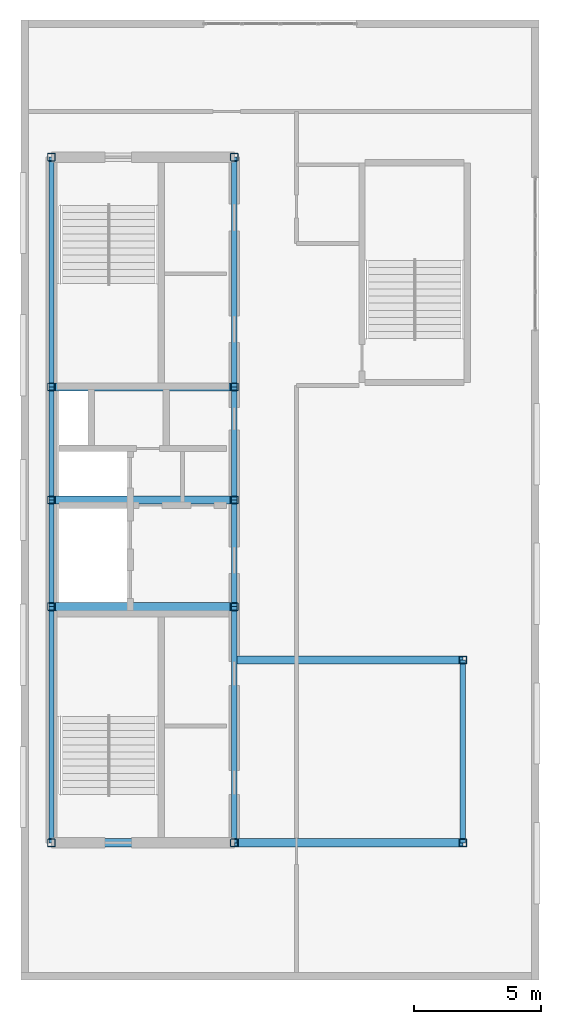
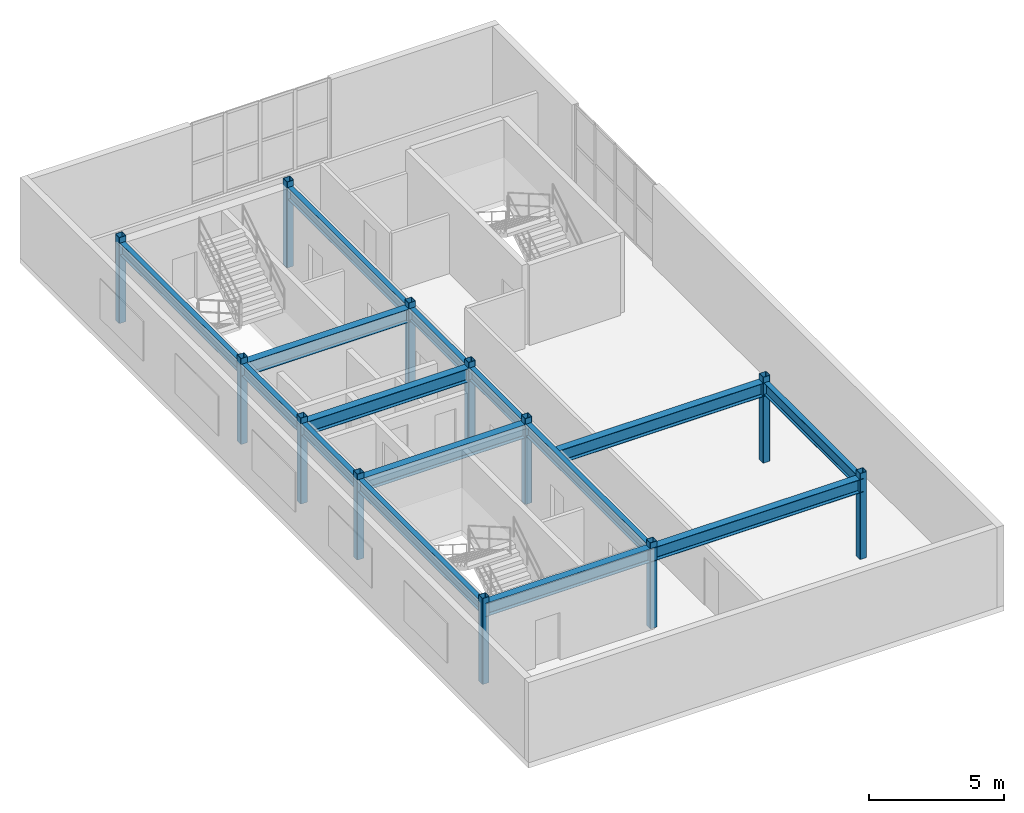
# One storey, part 1 of 6: 15 beams, 12 columns.
"""IFC4 building model written with IfcOpenShell, lengths in metres."""

import ifcopenshell
import ifcopenshell.guid

model = None  # the IFC model being written
_history = None  # IfcOwnerHistory: only IFC2X3 demands one
_inside = {}  # id of a spatial element -> (the spatial element, [elements in it])
_under = {}  # id of a project, library or spatial element -> (it, [spatial elements below it])
_declared = {}  # id of a project -> (the project, [libraries it declares])
_typed = {}  # id of a type object -> (the type object, [elements of that type])
_made_of = {}  # id of a material, layer set ... -> (it, [elements and type objects made of it])


def new_model(schema):
    """Start an empty IFC model of exactly this schema.

    Asked for "IFC4X3", IfcOpenShell would pick the latest addendum, in which some entities
    have other attributes; the version numbers below select the first issue.
    IFC2X3 requires an IfcOwnerHistory on every rooted entity: one is made here for all.
    """
    global model, _history
    if schema == "IFC4X3":
        model = ifcopenshell.file(schema_version=(4, 3, 0, 0))
    else:
        model = ifcopenshell.file(schema=schema)
    _inside.clear()
    _under.clear()
    _declared.clear()
    _typed.clear()
    _made_of.clear()
    _history = None
    if model.schema == "IFC2X3":
        org = make("IfcOrganization", Name="unknown")
        user = make(
            "IfcPersonAndOrganization",
            ThePerson=make("IfcPerson", FamilyName="unknown"),
            TheOrganization=org,
        )
        app = make(
            "IfcApplication",
            ApplicationDeveloper=org,
            Version="unknown",
            ApplicationFullName="unknown",
            ApplicationIdentifier="unknown",
        )
        _history = make(
            "IfcOwnerHistory",
            OwningUser=user,
            OwningApplication=app,
            ChangeAction="ADDED",
            CreationDate=0,
        )
    return model


def make(cls, **values):
    """One entity of the class cls with the attributes given. An attribute that is None is left unset."""
    return model.create_entity(
        cls, **{name: value for name, value in values.items() if value is not None}
    )


def entity(cls, *values):
    """Any entity or typed value of the class cls, its attributes in the order of the schema. None: left unset."""
    e = model.create_entity(cls)
    for i, value in enumerate(values):
        if value is not None:
            e[i] = value
    return e


def rooted(cls, **values):
    """An entity with a GlobalId (a new one), such as an element, a storey or a relation."""
    return make(cls, GlobalId=ifcopenshell.guid.new(), OwnerHistory=_history, **values)


def si_unit(unit_type, name, prefix=None):
    """IfcSIUnit, for example si_unit("LENGTHUNIT", "METRE", prefix="MILLI")."""
    return make("IfcSIUnit", UnitType=unit_type, Prefix=prefix, Name=name)


def converted_unit(unit_type, name, factor, base, dimensions=None, offset=None):
    """IfcConversionBasedUnit, such as the inch: factor (a typed value) times the base unit."""
    return make(
        "IfcConversionBasedUnit"
        if offset is None
        else "IfcConversionBasedUnitWithOffset",
        ConversionOffset=offset,
        Dimensions=None
        if dimensions is None
        else entity("IfcDimensionalExponents", *dimensions),
        UnitType=unit_type,
        Name=name,
        ConversionFactor=make(
            "IfcMeasureWithUnit", ValueComponent=factor, UnitComponent=base
        ),
    )


def assignment(units):
    """IfcUnitAssignment: the units of a project."""
    return None if units is None else make("IfcUnitAssignment", Units=units)


def point(xyz):
    """IfcCartesianPoint."""
    return None if xyz is None else make("IfcCartesianPoint", Coordinates=xyz)


def direction(xyz):
    """IfcDirection."""
    return None if xyz is None else make("IfcDirection", DirectionRatios=xyz)


def frame(location, z_axis=None, x_axis=None):
    """IfcAxis2Placement3D, a coordinate frame: its origin and axes. An axis left out is left unset."""
    return make(
        "IfcAxis2Placement3D",
        Location=point(location),
        Axis=direction(z_axis),
        RefDirection=direction(x_axis),
    )


def frame_2d(location, x_axis=None):
    """IfcAxis2Placement2D, a coordinate frame in the plane: its origin and x axis."""
    return make(
        "IfcAxis2Placement2D", Location=point(location), RefDirection=direction(x_axis)
    )


def origin_with_axes():
    """The frame at (0, 0, 0) with the z axis (0, 0, 1) and the x axis (1, 0, 0) written out."""
    return frame((0.0, 0.0, 0.0), z_axis=(0.0, 0.0, 1.0), x_axis=(1.0, 0.0, 0.0))


def origin_2d_with_axis():
    """The frame at (0, 0) in the plane with the x axis (1, 0) written out."""
    return frame_2d((0.0, 0.0), x_axis=(1.0, 0.0))


def place(relative_to, where):
    """IfcLocalPlacement: puts the frame where relative to a parent placement (None: the world)."""
    return make(
        "IfcLocalPlacement", PlacementRelTo=relative_to, RelativePlacement=where
    )


def context(
    kind, dimensions, precision=None, world=None, true_north=None, identifier=None
):
    """IfcGeometricRepresentationContext, for example the 3D "Model" context."""
    return make(
        "IfcGeometricRepresentationContext",
        ContextIdentifier=identifier,
        ContextType=kind,
        CoordinateSpaceDimension=dimensions,
        Precision=precision,
        WorldCoordinateSystem=world,
        TrueNorth=true_north,
    )


def subcontext(parent, identifier, kind, view, scale=None):
    """IfcGeometricRepresentationSubContext, for example "Body" below "Model"."""
    return make(
        "IfcGeometricRepresentationSubContext",
        ContextIdentifier=identifier,
        ContextType=kind,
        ParentContext=parent,
        TargetScale=scale,
        TargetView=view,
    )


def project(units=None, contexts=None):
    """IfcProject with its units and contexts."""
    return rooted(
        "IfcProject",
        Name="project",
        RepresentationContexts=contexts,
        UnitsInContext=assignment(units),
    )


def spatial(cls, under=None, at=None, **own):
    """A site, building, storey or space (cls), placed at a placement, below another one or the project."""
    s = rooted(cls, ObjectPlacement=at, **own)
    if under is not None:
        _under.setdefault(under.id(), (under, []))[1].append(s)
    return s


def profile(cls, at=None, kind="AREA", **sizes):
    """A parametric profile (cls). Its sizes go by their IFC names, for example OverallWidth=200.0."""
    return make(cls, ProfileType=kind, Position=at, **sizes)


def hollow_rectangle(**sizes):
    """IfcRectangleHollowProfileDef."""
    return profile("IfcRectangleHollowProfileDef", **sizes)


def i_section(**sizes):
    """IfcIShapeProfileDef."""
    return profile("IfcIShapeProfileDef", **sizes)


def extrude(swept, where, along, depth):
    """IfcExtrudedAreaSolid: the profile swept, set in the frame where, extruded along a direction by depth."""
    return make(
        "IfcExtrudedAreaSolid",
        SweptArea=swept,
        Position=where,
        ExtrudedDirection=direction(along),
        Depth=depth,
    )


def shape(context_of_items, identifier, shape_type, items):
    """IfcShapeRepresentation: the items that make up one representation, for example the "Body"."""
    return make(
        "IfcShapeRepresentation",
        ContextOfItems=context_of_items,
        RepresentationIdentifier=identifier,
        RepresentationType=shape_type,
        Items=items,
    )


def material(Name=None, Category=None):
    """IfcMaterial."""
    return make("IfcMaterial", Name=Name, Category=Category)


def material_profile(
    of_material, cross_section, Name=None, Category=None, Priority=None
):
    """IfcMaterialProfile: a cross section and its material."""
    return make(
        "IfcMaterialProfile",
        Name=Name,
        Material=of_material,
        Profile=cross_section,
        Priority=Priority,
        Category=Category,
    )


def profile_set(profiles, Name=None, composite=None):
    """IfcMaterialProfileSet."""
    return make(
        "IfcMaterialProfileSet",
        Name=Name,
        MaterialProfiles=profiles,
        CompositeProfile=composite,
    )


def made_of(thing, what):
    """Note that an element or type object is made of a material, layer set ...; save() writes the relation."""
    if what is not None:
        _made_of.setdefault(what.id(), (what, []))[1].append(thing)
    return thing


def type_object(cls, material=None, **own):
    """A type object (cls), such as IfcWallType, which elements share."""
    return made_of(rooted(cls, **own), material)


def element(
    cls,
    number,
    at=None,
    inside=None,
    cuts=None,
    type_object=None,
    material=None,
    context=None,
    identifier="Body",
    shape_type=None,
    held_by="IfcProductDefinitionShape",
    body=None,
    shapes=None,
    **own,
):
    """One element of the class cls, such as IfcWall. Its Tag is "e" and its number.

    at: its placement. inside: the storey or other place that contains it. cuts: it is an
    opening in that element (IfcRelVoidsElement). A single representation is given by context,
    identifier, shape_type and body (its items); several are given by shapes. held_by: the class
    of the entity that holds the representations. save() writes the other relations.
    """
    e = rooted(cls, Tag="e%d" % number, ObjectPlacement=at, **own)
    if body is not None:
        shapes = [shape(context, identifier, shape_type, body)]
    if shapes is not None:
        e.Representation = make(held_by, Representations=shapes)
    if inside is not None:
        _inside.setdefault(inside.id(), (inside, []))[1].append(e)
    if cuts is not None:
        rooted(
            "IfcRelVoidsElement", RelatingBuildingElement=cuts, RelatedOpeningElement=e
        )
    if type_object is not None:
        _typed.setdefault(type_object.id(), (type_object, []))[1].append(e)
    return made_of(e, material)


def aggregate(whole, parts):
    """IfcRelAggregates: a whole, such as a stair, and the parts it consists of."""
    return rooted("IfcRelAggregates", RelatingObject=whole, RelatedObjects=parts)


def save(model, path):
    """Write the relations noted so far, then the file.

    IfcRelAggregates (storeys below a building ...), IfcRelContainedInSpatialStructure (elements
    in a storey), IfcRelDefinesByType, IfcRelAssociatesMaterial and IfcRelDeclares: one each for
    every whole, place, type object, material and project.
    """
    for whole, parts in _under.values():
        aggregate(whole, parts)
    for where, things in _inside.values():
        rooted(
            "IfcRelContainedInSpatialStructure",
            RelatedElements=things,
            RelatingStructure=where,
        )
    for kind, things in _typed.values():
        rooted("IfcRelDefinesByType", RelatedObjects=things, RelatingType=kind)
    for what, things in _made_of.values():
        rooted("IfcRelAssociatesMaterial", RelatedObjects=things, RelatingMaterial=what)
    for by, libraries in _declared.values():
        rooted("IfcRelDeclares", RelatingContext=by, RelatedDefinitions=libraries)
    model.write(path)


model = new_model("IFC4")

# Units and contexts
model_context = context("Model", 3, precision=1e-05, world=origin_with_axes(), true_north=direction((0.0, 1.0)))
body_context = subcontext(model_context, "Body", "Model", "MODEL_VIEW")
ifc_project = project(units=[si_unit("LENGTHUNIT", "METRE"), si_unit("AREAUNIT", "SQUARE_METRE"), si_unit("VOLUMEUNIT", "CUBIC_METRE"), converted_unit("PLANEANGLEUNIT", "DEGREE", entity("IfcPlaneAngleMeasure", 0.017453292519943295), si_unit("PLANEANGLEUNIT", "RADIAN"), dimensions=[0, 0, 0, 0, 0, 0, 0]), si_unit("MASSUNIT", "GRAM", prefix="KILO"), si_unit("THERMODYNAMICTEMPERATUREUNIT", "KELVIN")], contexts=[model_context])

# Site, building, storey
site_placement = place(None, origin_with_axes())
site = spatial("IfcSite", under=ifc_project, at=site_placement, CompositionType="ELEMENT")
building_placement = place(site_placement, origin_with_axes())
building = spatial("IfcBuilding", under=site, at=building_placement, Name="Varnlund Millrace Tower", CompositionType="ELEMENT")
storey_placement = place(building_placement, frame((0.0, 0.0, 324.3), z_axis=(0.0, 0.0, 1.0), x_axis=(1.0, 0.0, 0.0)))
storey = spatial("IfcBuildingStorey", under=building, at=storey_placement, Name="L80", CompositionType="ELEMENT", Elevation=324.3)

# Columns
ifc_material_1 = material(Name="Steel ASTM A500 Grade C", Category="steel")
ifc_material_profile_1 = material_profile(ifc_material_1, hollow_rectangle(XDim=0.305, YDim=0.305, WallThickness=0.0147, InnerFilletRadius=0.015, OuterFilletRadius=0.03, at=origin_2d_with_axis()), Name="Steel ASTM A500 Grade C")
ifc_profile_set_1 = profile_set([ifc_material_profile_1], Name="Steel ASTM A500 Grade C")
column_type = type_object("IfcColumnType", Name="Type-Col-Crn-HSS12", PredefinedType="COLUMN", material=ifc_profile_set_1)
for number, where, z_axis, x_axis, name in (
    (1, (11.4, 10.8, 0.0), (0.0, 0.0, 1.0), (1.0, 0.0, 0.0), "Type-Col-Crn-HSS12"),
    (2, (11.4, 20.1, 0.0), (0.0, 0.0, 1.0), (1.0, 0.0, 0.0), "Type-Col-Crn-HSS12"),
    (3, (11.4, 24.3, 0.0), (0.0, 0.0, 1.0), (1.0, 0.0, 0.0), "Type-Col-Crn-HSS12"),
    (4, (11.4, 28.75, 0.0), (0.0, 0.0, 1.0), (1.0, 0.0, 0.0), "Type-Col-Crn-HSS12"),
    (5, (11.4, 37.8, 0.0), (0.0, 0.0, 1.0), (1.0, 0.0, 0.0), "Type-Col-Crn-HSS12"),
    (6, (18.6, 10.8, 0.0), (0.0, 0.0, 1.0), (1.0, 0.0, 0.0), "Type-Col-Crn-HSS12"),
    (7, (18.6, 20.1, 0.0), (0.0, 0.0, 1.0), (1.0, 0.0, 0.0), "Type-Col-Crn-HSS12"),
    (8, (18.6, 24.3, 0.0), (0.0, 0.0, 1.0), (1.0, 0.0, 0.0), "Type-Col-Crn-HSS12"),
    (9, (18.6, 28.75, 0.0), (0.0, 0.0, 1.0), (1.0, 0.0, 0.0), "Type-Col-Crn-HSS12"),
    (10, (18.6, 37.8, 0.0), (0.0, 0.0, 1.0), (1.0, 0.0, 0.0), "Type-Col-Crn-HSS12"),
    (11, (27.6, 10.8, 0.0), (0.0, 0.0, 1.0), (1.0, 0.0, 0.0), "Type-Col-Crn-HSS12"),
    (12, (27.6, 18.0, 0.0), (0.0, 0.0, 1.0), (1.0, 0.0, 0.0), "Type-Col-Crn-HSS12"),
):
    element("IfcColumn", number, at=place(storey_placement, frame(where, z_axis=z_axis, x_axis=x_axis)), inside=storey, type_object=column_type, Name=name, PredefinedType="COLUMN", context=body_context, shape_type="SweptSolid", body=[
        extrude(hollow_rectangle(XDim=0.305, YDim=0.305, WallThickness=0.0147, InnerFilletRadius=0.015, OuterFilletRadius=0.03, at=origin_2d_with_axis()), origin_with_axes(), (0.0, 0.0, 1.0), 3.9),
    ])

# Beams
ifc_material_2 = material(Name="Steel ASTM A992 Grade 50", Category="steel")
ifc_material_profile_2 = material_profile(ifc_material_2, i_section(OverallWidth=0.214, OverallDepth=0.549, WebThickness=0.0147, FlangeThickness=0.0236, FilletRadius=0.015, at=origin_2d_with_axis()), Name="Steel ASTM A992 Grade 50")
ifc_profile_set_2 = profile_set([ifc_material_profile_2], Name="Steel ASTM A992 Grade 50")
beam_type_1 = type_object("IfcBeamType", Name="Type-Beam-W21X93", PredefinedType="BEAM", material=ifc_profile_set_2)
beam_1_placement = place(storey_placement, frame((11.4, 10.8, 3.3655), z_axis=(0.0, 1.0, 0.0), x_axis=(-1.0, 0.0, 0.0)))
element("IfcBeam", 13, at=beam_1_placement, inside=storey, type_object=beam_type_1, Name="Type-Beam-W21X93", PredefinedType="BEAM", context=body_context, shape_type="SweptSolid", body=[
    extrude(i_section(OverallWidth=0.214, OverallDepth=0.549, WebThickness=0.0147, FlangeThickness=0.0236, FilletRadius=0.015, at=origin_2d_with_axis()), origin_with_axes(), (0.0, 0.0, 1.0), 9.3),
])
beam_2_placement = place(storey_placement, frame((11.4, 20.1, 3.3655), z_axis=(0.0, 1.0, 0.0), x_axis=(-1.0, 0.0, 0.0)))
element("IfcBeam", 14, at=beam_2_placement, inside=storey, type_object=beam_type_1, Name="Type-Beam-W21X93", PredefinedType="BEAM", context=body_context, shape_type="SweptSolid", body=[
    extrude(i_section(OverallWidth=0.214, OverallDepth=0.549, WebThickness=0.0147, FlangeThickness=0.0236, FilletRadius=0.015, at=origin_2d_with_axis()), origin_with_axes(), (0.0, 0.0, 1.0), 4.2),
])
beam_3_placement = place(storey_placement, frame((11.4, 24.3, 3.3655), z_axis=(0.0, 1.0, 0.0), x_axis=(-1.0, 0.0, 0.0)))
element("IfcBeam", 15, at=beam_3_placement, inside=storey, type_object=beam_type_1, Name="Type-Beam-W21X93", PredefinedType="BEAM", context=body_context, shape_type="SweptSolid", body=[
    extrude(i_section(OverallWidth=0.214, OverallDepth=0.549, WebThickness=0.0147, FlangeThickness=0.0236, FilletRadius=0.015, at=origin_2d_with_axis()), origin_with_axes(), (0.0, 0.0, 1.0), 4.45),
])
beam_4_placement = place(storey_placement, frame((11.4, 28.75, 3.3655), z_axis=(0.0, 1.0, 0.0), x_axis=(-1.0, 0.0, 0.0)))
element("IfcBeam", 16, at=beam_4_placement, inside=storey, type_object=beam_type_1, Name="Type-Beam-W21X93", PredefinedType="BEAM", context=body_context, shape_type="SweptSolid", body=[
    extrude(i_section(OverallWidth=0.214, OverallDepth=0.549, WebThickness=0.0147, FlangeThickness=0.0236, FilletRadius=0.015, at=origin_2d_with_axis()), origin_with_axes(), (0.0, 0.0, 1.0), 9.05),
])
beam_5_placement = place(storey_placement, frame((18.6, 10.8, 3.3655), z_axis=(0.0, 1.0, 0.0), x_axis=(-1.0, 0.0, 0.0)))
element("IfcBeam", 17, at=beam_5_placement, inside=storey, type_object=beam_type_1, Name="Type-Beam-W21X93", PredefinedType="BEAM", context=body_context, shape_type="SweptSolid", body=[
    extrude(i_section(OverallWidth=0.214, OverallDepth=0.549, WebThickness=0.0147, FlangeThickness=0.0236, FilletRadius=0.015, at=origin_2d_with_axis()), origin_with_axes(), (0.0, 0.0, 1.0), 9.3),
])
beam_6_placement = place(storey_placement, frame((18.6, 20.1, 3.3655), z_axis=(0.0, 1.0, 0.0), x_axis=(-1.0, 0.0, 0.0)))
element("IfcBeam", 18, at=beam_6_placement, inside=storey, type_object=beam_type_1, Name="Type-Beam-W21X93", PredefinedType="BEAM", context=body_context, shape_type="SweptSolid", body=[
    extrude(i_section(OverallWidth=0.214, OverallDepth=0.549, WebThickness=0.0147, FlangeThickness=0.0236, FilletRadius=0.015, at=origin_2d_with_axis()), origin_with_axes(), (0.0, 0.0, 1.0), 4.2),
])
beam_7_placement = place(storey_placement, frame((18.6, 24.3, 3.3655), z_axis=(0.0, 1.0, 0.0), x_axis=(-1.0, 0.0, 0.0)))
element("IfcBeam", 19, at=beam_7_placement, inside=storey, type_object=beam_type_1, Name="Type-Beam-W21X93", PredefinedType="BEAM", context=body_context, shape_type="SweptSolid", body=[
    extrude(i_section(OverallWidth=0.214, OverallDepth=0.549, WebThickness=0.0147, FlangeThickness=0.0236, FilletRadius=0.015, at=origin_2d_with_axis()), origin_with_axes(), (0.0, 0.0, 1.0), 4.45),
])
beam_8_placement = place(storey_placement, frame((18.6, 28.75, 3.3655), z_axis=(0.0, 1.0, 0.0), x_axis=(-1.0, 0.0, 0.0)))
element("IfcBeam", 20, at=beam_8_placement, inside=storey, type_object=beam_type_1, Name="Type-Beam-W21X93", PredefinedType="BEAM", context=body_context, shape_type="SweptSolid", body=[
    extrude(i_section(OverallWidth=0.214, OverallDepth=0.549, WebThickness=0.0147, FlangeThickness=0.0236, FilletRadius=0.015, at=origin_2d_with_axis()), origin_with_axes(), (0.0, 0.0, 1.0), 9.05),
])
beam_9_placement = place(storey_placement, frame((27.6, 10.8, 3.3655), z_axis=(0.0, 1.0, 0.0), x_axis=(-1.0, 0.0, 0.0)))
element("IfcBeam", 21, at=beam_9_placement, inside=storey, type_object=beam_type_1, Name="Type-Beam-W21X93", PredefinedType="BEAM", context=body_context, shape_type="SweptSolid", body=[
    extrude(i_section(OverallWidth=0.214, OverallDepth=0.549, WebThickness=0.0147, FlangeThickness=0.0236, FilletRadius=0.015, at=origin_2d_with_axis()), origin_with_axes(), (0.0, 0.0, 1.0), 7.2),
])
ifc_material_profile_3 = material_profile(ifc_material_2, i_section(OverallWidth=0.324, OverallDepth=0.611, WebThickness=0.0127, FlangeThickness=0.0191, FilletRadius=0.016, at=origin_2d_with_axis()), Name="Steel ASTM A992 Grade 50")
ifc_profile_set_3 = profile_set([ifc_material_profile_3], Name="Steel ASTM A992 Grade 50")
beam_type_2 = type_object("IfcBeamType", Name="Type-Girder-W24X104", PredefinedType="USERDEFINED", material=ifc_profile_set_3)
beam_10_placement = place(storey_placement, frame((11.4, 10.8, 3.3345), z_axis=(1.0, 0.0, 0.0), x_axis=(0.0, 1.0, 0.0)))
element("IfcBeam", 22, at=beam_10_placement, inside=storey, type_object=beam_type_2, Name="Type-Girder-W24X104", ObjectType="GIRDER", PredefinedType="USERDEFINED", context=body_context, shape_type="SweptSolid", body=[
    extrude(i_section(OverallWidth=0.324, OverallDepth=0.611, WebThickness=0.0127, FlangeThickness=0.0191, FilletRadius=0.016, at=origin_2d_with_axis()), origin_with_axes(), (0.0, 0.0, 1.0), 7.2),
])
for number, where, z_axis, x_axis, name in (
    (23, (18.6, 10.8, 3.3345), (1.0, 0.0, 0.0), (0.0, 1.0, 0.0), "Type-Girder-W24X104"),
    (24, (18.6, 18.0, 3.3345), (1.0, 0.0, 0.0), (0.0, 1.0, 0.0), "Type-Girder-W24X104"),
):
    element("IfcBeam", number, at=place(storey_placement, frame(where, z_axis=z_axis, x_axis=x_axis)), inside=storey, type_object=beam_type_2, Name=name, ObjectType="GIRDER", PredefinedType="USERDEFINED", context=body_context, shape_type="SweptSolid", body=[
        extrude(i_section(OverallWidth=0.324, OverallDepth=0.611, WebThickness=0.0127, FlangeThickness=0.0191, FilletRadius=0.016, at=origin_2d_with_axis()), origin_with_axes(), (0.0, 0.0, 1.0), 9.0),
    ])
for number, where, z_axis, x_axis, name in (
    (25, (11.4, 20.1, 3.3345), (1.0, 0.0, 0.0), (0.0, 1.0, 0.0), "Type-Girder-W24X104"),
    (26, (11.4, 24.3, 3.3345), (1.0, 0.0, 0.0), (0.0, 1.0, 0.0), "Type-Girder-W24X104"),
    (27, (11.4, 28.75, 3.3345), (1.0, 0.0, 0.0), (0.0, 1.0, 0.0), "Type-Girder-W24X104"),
):
    element("IfcBeam", number, at=place(storey_placement, frame(where, z_axis=z_axis, x_axis=x_axis)), inside=storey, type_object=beam_type_2, Name=name, ObjectType="GIRDER", PredefinedType="USERDEFINED", context=body_context, shape_type="SweptSolid", body=[
        extrude(i_section(OverallWidth=0.324, OverallDepth=0.611, WebThickness=0.0127, FlangeThickness=0.0191, FilletRadius=0.016, at=origin_2d_with_axis()), origin_with_axes(), (0.0, 0.0, 1.0), 7.2),
    ])

save(model, "model.ifc")
